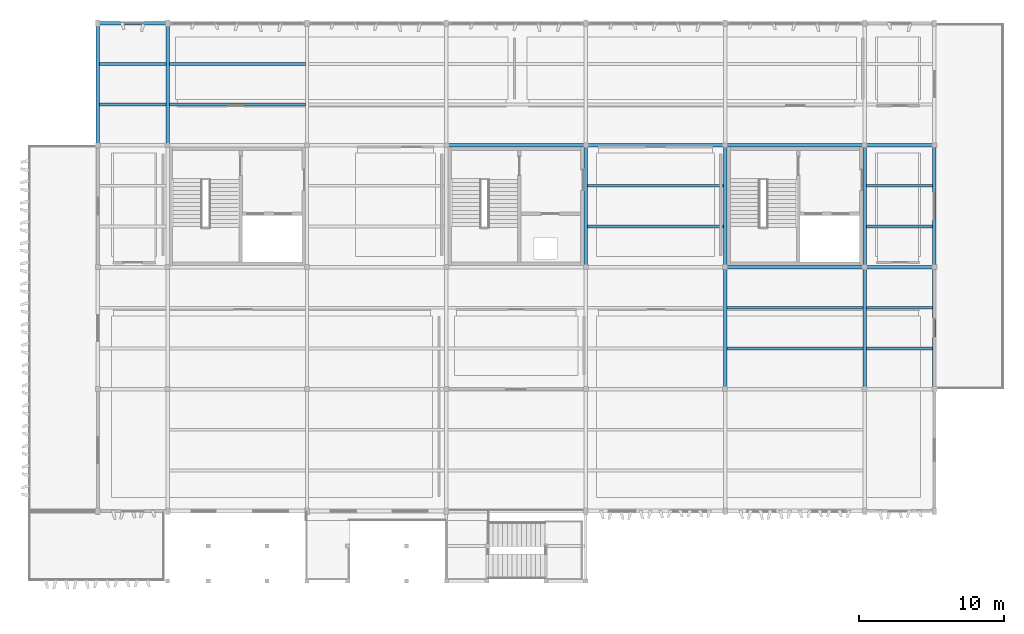
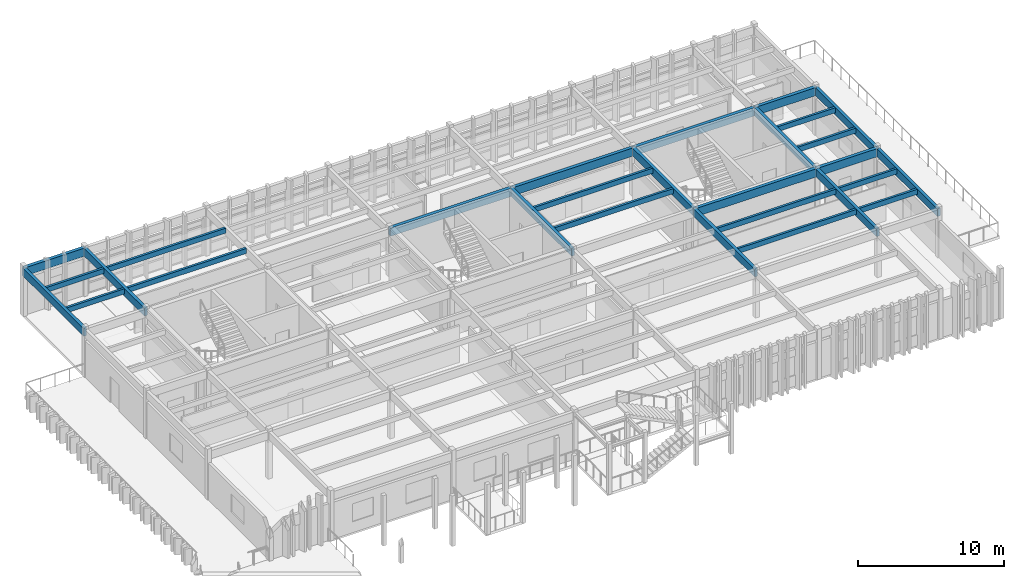
# One storey, part 2 of 14: 28 beams.
"""IFC4 building model written with IfcOpenShell, lengths in metres."""

from ifc_helpers import new_model, si_unit, direction, frame, origin, origin_2d, place, context, subcontext, project, spatial, rectangle, extrude, material, material_profile, profile_set, type_object, element, save


model = new_model("IFC4")

# Units and contexts
model_context = context("Model", 3, precision=1e-05, world=origin(), true_north=direction((0.0, 1.0)))
body_context = subcontext(model_context, "Body", "Model", "MODEL_VIEW")
ifc_project = project(units=[si_unit("LENGTHUNIT", "METRE"), si_unit("AREAUNIT", "SQUARE_METRE"), si_unit("VOLUMEUNIT", "CUBIC_METRE"), si_unit("PLANEANGLEUNIT", "RADIAN"), si_unit("MASSUNIT", "GRAM", prefix="KILO")], contexts=[model_context])

# Site, building, storey
site_placement = place(None, origin())
site = spatial("IfcSite", under=ifc_project, at=site_placement, CompositionType="ELEMENT")
building_placement = place(site_placement, origin())
building = spatial("IfcBuilding", under=site, at=building_placement, Name="Kolvemor Railside Polytechnic", CompositionType="ELEMENT")
storey_placement = place(building_placement, frame((0.0, 0.0, 22.800048828125)))
storey = spatial("IfcBuildingStorey", under=building, at=storey_placement, Name="L05", CompositionType="ELEMENT", Elevation=22.800048828125)

# Beams
ifc_material_1 = material(Name="Glulam GL28h", Category="wood")
ifc_material_profile_1 = material_profile(ifc_material_1, rectangle(XDim=0.264892578125, YDim=0.679931640625, at=origin_2d()), Name="GL265x680")
ifc_profile_set_1 = profile_set([ifc_material_profile_1], Name="Glulam GL28h")
beam_type_1 = type_object("IfcBeamType", Name="BM-GL-GIRD2", PredefinedType="BEAM", material=ifc_profile_set_1)
beam_1_placement = place(storey_placement, frame((105.60009765625, 21.60009765625, 3.6298828125), z_axis=(1.0, 0.0, 0.0), x_axis=(0.0, 1.0, 0.0)))
element("IfcBeam", 1, at=beam_1_placement, inside=storey, type_object=beam_type_1, Name="Primary Girder L06-GX 1643", PredefinedType="BEAM", context=body_context, shape_type="SweptSolid", body=[
    extrude(rectangle(XDim=0.264892578125, YDim=0.679931640625, at=origin_2d()), origin(), (0.0, 0.0, 1.0), 9.599853515625),
])
beam_2_placement = place(storey_placement, frame((115.199951171875, 21.60009765625, 3.6298828125), z_axis=(1.0, 0.0, 0.0), x_axis=(0.0, 1.0, 0.0)))
element("IfcBeam", 2, at=beam_2_placement, inside=storey, type_object=beam_type_1, Name="Primary Girder L06-GX 1644", PredefinedType="BEAM", context=body_context, shape_type="SweptSolid", body=[
    extrude(rectangle(XDim=0.264892578125, YDim=0.679931640625, at=origin_2d()), origin(), (0.0, 0.0, 1.0), 4.800048828125),
])
for number, where, z_axis, x_axis, name in (
    (3, (86.39990234375, 30.0, 3.6298828125), (1.0, 0.0, 0.0), (0.0, 1.0, 0.0), "Primary Girder L06-GX 1648"),
    (4, (96.0, 30.0, 3.6298828125), (1.0, 0.0, 0.0), (0.0, 1.0, 0.0), "Primary Girder L06-GX 1649"),
):
    element("IfcBeam", number, at=place(storey_placement, frame(where, z_axis=z_axis, x_axis=x_axis)), inside=storey, type_object=beam_type_1, Name=name, PredefinedType="BEAM", context=body_context, shape_type="SweptSolid", body=[
        extrude(rectangle(XDim=0.264892578125, YDim=0.679931640625, at=origin_2d()), origin(), (0.0, 0.0, 1.0), 9.60009765625),
    ])
beam_3_placement = place(storey_placement, frame((105.60009765625, 30.0, 3.6298828125), z_axis=(1.0, 0.0, 0.0), x_axis=(0.0, 1.0, 0.0)))
element("IfcBeam", 5, at=beam_3_placement, inside=storey, type_object=beam_type_1, Name="Primary Girder L06-GX 1650", PredefinedType="BEAM", context=body_context, shape_type="SweptSolid", body=[
    extrude(rectangle(XDim=0.264892578125, YDim=0.679931640625, at=origin_2d()), origin(), (0.0, 0.0, 1.0), 9.599853515625),
])
for number, where, z_axis, x_axis, name in (
    (6, (115.199951171875, 30.0, 3.6298828125), (1.0, 0.0, 0.0), (0.0, 1.0, 0.0), "Primary Girder L06-GX 1651"),
    (7, (62.39990234375, 38.39990234375, 3.6298828125), (1.0, 0.0, 0.0), (0.0, 1.0, 0.0), "Primary Girder L06-GX 1652"),
):
    element("IfcBeam", number, at=place(storey_placement, frame(where, z_axis=z_axis, x_axis=x_axis)), inside=storey, type_object=beam_type_1, Name=name, PredefinedType="BEAM", context=body_context, shape_type="SweptSolid", body=[
        extrude(rectangle(XDim=0.264892578125, YDim=0.679931640625, at=origin_2d()), origin(), (0.0, 0.0, 1.0), 4.800048828125),
    ])
ifc_material_2 = material(Name="Glulam GL28h", Category="wood")
ifc_material_profile_2 = material_profile(ifc_material_2, rectangle(XDim=0.239990234375, YDim=0.639892578125, at=origin_2d()), Name="GL240x640")
ifc_profile_set_2 = profile_set([ifc_material_profile_2], Name="Glulam GL28h")
beam_type_2 = type_object("IfcBeamType", Name="BM-GL-GIRD5", PredefinedType="BEAM", material=ifc_profile_set_2)
for number, where, z_axis, x_axis, name in (
    (8, (62.39990234375, 30.0, 3.64990234375), (0.0, 1.0, 0.0), (-1.0, 0.0, 0.0), "Primary Girder L06-GY 1661"),
    (9, (67.199951171875, 30.0, 3.64990234375), (0.0, 1.0, 0.0), (-1.0, 0.0, 0.0), "Primary Girder L06-GY 1664"),
    (10, (96.0, 21.60009765625, 3.64990234375), (0.0, 1.0, 0.0), (-1.0, 0.0, 0.0), "Primary Girder L06-GY 1672"),
):
    element("IfcBeam", number, at=place(storey_placement, frame(where, z_axis=z_axis, x_axis=x_axis)), inside=storey, type_object=beam_type_2, Name=name, PredefinedType="BEAM", context=body_context, shape_type="SweptSolid", body=[
        extrude(rectangle(XDim=0.239990234375, YDim=0.639892578125, at=origin_2d()), origin(), (0.0, 0.0, 1.0), 8.39990234375),
    ])
beam_4_placement = place(storey_placement, frame((105.60009765625, 13.199951171875, 3.64990234375), z_axis=(0.0, 1.0, 0.0), x_axis=(-1.0, 0.0, 0.0)))
element("IfcBeam", 11, at=beam_4_placement, inside=storey, type_object=beam_type_2, Name="Primary Girder L06-GY 1674", PredefinedType="BEAM", context=body_context, shape_type="SweptSolid", body=[
    extrude(rectangle(XDim=0.239990234375, YDim=0.639892578125, at=origin_2d()), origin(), (0.0, 0.0, 1.0), 8.400146484375),
])
beam_5_placement = place(storey_placement, frame((105.60009765625, 21.60009765625, 3.64990234375), z_axis=(0.0, 1.0, 0.0), x_axis=(-1.0, 0.0, 0.0)))
element("IfcBeam", 12, at=beam_5_placement, inside=storey, type_object=beam_type_2, Name="Primary Girder L06-GY 1675", PredefinedType="BEAM", context=body_context, shape_type="SweptSolid", body=[
    extrude(rectangle(XDim=0.239990234375, YDim=0.639892578125, at=origin_2d()), origin(), (0.0, 0.0, 1.0), 8.39990234375),
])
beam_6_placement = place(storey_placement, frame((115.199951171875, 13.199951171875, 3.64990234375), z_axis=(0.0, 1.0, 0.0), x_axis=(-1.0, 0.0, 0.0)))
element("IfcBeam", 13, at=beam_6_placement, inside=storey, type_object=beam_type_2, Name="Primary Girder L06-GY 1677", PredefinedType="BEAM", context=body_context, shape_type="SweptSolid", body=[
    extrude(rectangle(XDim=0.239990234375, YDim=0.639892578125, at=origin_2d()), origin(), (0.0, 0.0, 1.0), 8.400146484375),
])
beam_7_placement = place(storey_placement, frame((115.199951171875, 21.60009765625, 3.64990234375), z_axis=(0.0, 1.0, 0.0), x_axis=(-1.0, 0.0, 0.0)))
element("IfcBeam", 14, at=beam_7_placement, inside=storey, type_object=beam_type_2, Name="Primary Girder L06-GY 1678", PredefinedType="BEAM", context=body_context, shape_type="SweptSolid", body=[
    extrude(rectangle(XDim=0.239990234375, YDim=0.639892578125, at=origin_2d()), origin(), (0.0, 0.0, 1.0), 8.39990234375),
])
beam_8_placement = place(storey_placement, frame((120.0, 13.199951171875, 3.64990234375), z_axis=(0.0, 1.0, 0.0), x_axis=(-1.0, 0.0, 0.0)))
element("IfcBeam", 15, at=beam_8_placement, inside=storey, type_object=beam_type_2, Name="Primary Girder L06-GY 1680", PredefinedType="BEAM", context=body_context, shape_type="SweptSolid", body=[
    extrude(rectangle(XDim=0.239990234375, YDim=0.639892578125, at=origin_2d()), origin(), (0.0, 0.0, 1.0), 8.400146484375),
])
beam_9_placement = place(storey_placement, frame((120.0, 21.60009765625, 3.64990234375), z_axis=(0.0, 1.0, 0.0), x_axis=(-1.0, 0.0, 0.0)))
element("IfcBeam", 16, at=beam_9_placement, inside=storey, type_object=beam_type_2, Name="Primary Girder L06-GY 1681", PredefinedType="BEAM", context=body_context, shape_type="SweptSolid", body=[
    extrude(rectangle(XDim=0.239990234375, YDim=0.639892578125, at=origin_2d()), origin(), (0.0, 0.0, 1.0), 8.39990234375),
])
ifc_material_3 = material(Name="Glulam GL28h", Category="wood")
ifc_material_profile_3 = material_profile(ifc_material_3, rectangle(XDim=0.18505859375, YDim=0.419921875, at=origin_2d()), Name="GL185x420")
ifc_profile_set_3 = profile_set([ifc_material_profile_3], Name="Glulam GL28h")
beam_type_3 = type_object("IfcBeamType", Name="BM-GL-JST4", PredefinedType="JOIST", material=ifc_profile_set_3)
for number, where, z_axis, x_axis, name in (
    (17, (62.52001953125, 32.800048828125, 3.760009765625), (1.0, 0.0, 0.0), (0.0, 1.0, 0.0), "Floor Joist L06-J1687"),
    (18, (62.52001953125, 35.60009765625, 3.760009765625), (1.0, 0.0, 0.0), (0.0, 1.0, 0.0), "Floor Joist L06-J1688"),
):
    element("IfcBeam", number, at=place(storey_placement, frame(where, z_axis=z_axis, x_axis=x_axis)), inside=storey, type_object=beam_type_3, Name=name, PredefinedType="JOIST", context=body_context, shape_type="SweptSolid", body=[
        extrude(rectangle(XDim=0.18505859375, YDim=0.419921875, at=origin_2d()), origin(), (0.0, 0.0, 1.0), 4.56005859375),
    ])
for number, where, z_axis, x_axis, name in (
    (19, (67.320068359375, 32.800048828125, 3.760009765625), (1.0, 0.0, 0.0), (0.0, 1.0, 0.0), "Floor Joist L06-J1691"),
    (20, (67.320068359375, 35.60009765625, 3.760009765625), (1.0, 0.0, 0.0), (0.0, 1.0, 0.0), "Floor Joist L06-J1692"),
    (21, (96.1201171875, 24.39990234375, 3.760009765625), (1.0, 0.0, 0.0), (0.0, 1.0, 0.0), "Floor Joist L06-J1705"),
    (22, (96.1201171875, 27.199951171875, 3.760009765625), (1.0, 0.0, 0.0), (0.0, 1.0, 0.0), "Floor Joist L06-J1706"),
):
    element("IfcBeam", number, at=place(storey_placement, frame(where, z_axis=z_axis, x_axis=x_axis)), inside=storey, type_object=beam_type_3, Name=name, PredefinedType="JOIST", context=body_context, shape_type="SweptSolid", body=[
        extrude(rectangle(XDim=0.18505859375, YDim=0.419921875, at=origin_2d()), origin(), (0.0, 0.0, 1.0), 9.35986328125),
    ])
for number, where, z_axis, x_axis, name in (
    (23, (105.719970703125, 16.0, 3.760009765625), (1.0, 0.0, 0.0), (0.0, 1.0, 0.0), "Floor Joist L06-J1709"),
    (24, (105.719970703125, 18.800048828125, 3.760009765625), (1.0, 0.0, 0.0), (0.0, 1.0, 0.0), "Floor Joist L06-J1710"),
):
    element("IfcBeam", number, at=place(storey_placement, frame(where, z_axis=z_axis, x_axis=x_axis)), inside=storey, type_object=beam_type_3, Name=name, PredefinedType="JOIST", context=body_context, shape_type="SweptSolid", body=[
        extrude(rectangle(XDim=0.18505859375, YDim=0.419921875, at=origin_2d()), origin(), (0.0, 0.0, 1.0), 9.360107421875),
    ])
for number, where, z_axis, x_axis, name in (
    (25, (115.320068359375, 16.0, 3.760009765625), (1.0, 0.0, 0.0), (0.0, 1.0, 0.0), "Floor Joist L06-J1713"),
    (26, (115.320068359375, 18.800048828125, 3.760009765625), (1.0, 0.0, 0.0), (0.0, 1.0, 0.0), "Floor Joist L06-J1714"),
    (27, (115.320068359375, 24.39990234375, 3.760009765625), (1.0, 0.0, 0.0), (0.0, 1.0, 0.0), "Floor Joist L06-J1715"),
    (28, (115.320068359375, 27.199951171875, 3.760009765625), (1.0, 0.0, 0.0), (0.0, 1.0, 0.0), "Floor Joist L06-J1716"),
):
    element("IfcBeam", number, at=place(storey_placement, frame(where, z_axis=z_axis, x_axis=x_axis)), inside=storey, type_object=beam_type_3, Name=name, PredefinedType="JOIST", context=body_context, shape_type="SweptSolid", body=[
        extrude(rectangle(XDim=0.18505859375, YDim=0.419921875, at=origin_2d()), origin(), (0.0, 0.0, 1.0), 4.559814453125),
    ])

save(model, "model.ifc")
